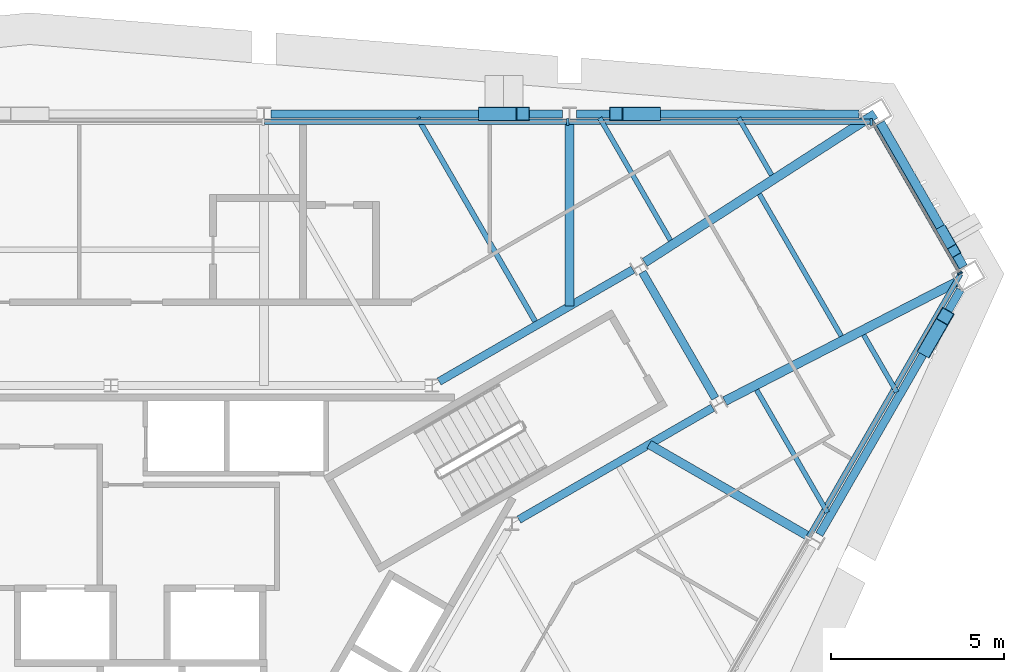
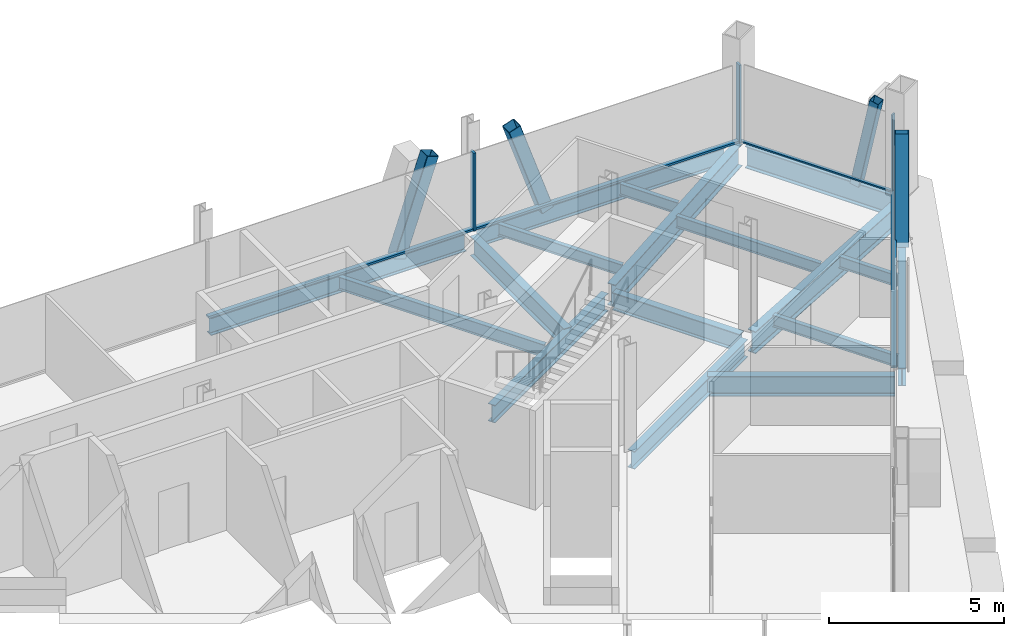
# One storey, part 7 of 14: 17 beams, 11 members, 3 elements without a shape of their own.
"""IFC4 building model written with IfcOpenShell, lengths in metres."""

from ifc_helpers import new_model, si_unit, direction, frame, origin, origin_2d, place, context, subcontext, project, spatial, rectangle, hollow_rectangle, i_section, extrude, material, material_profile, profile_set, type_object, element, aggregate, save


model = new_model("IFC4")

# Units and contexts
model_context = context("Model", 3, precision=1e-05, world=origin(), true_north=direction((0.0, 1.0)))
body_context = subcontext(model_context, "Body", "Model", "MODEL_VIEW")
ifc_project = project(units=[si_unit("LENGTHUNIT", "METRE"), si_unit("AREAUNIT", "SQUARE_METRE"), si_unit("VOLUMEUNIT", "CUBIC_METRE"), si_unit("PLANEANGLEUNIT", "RADIAN"), si_unit("MASSUNIT", "GRAM", prefix="KILO")], contexts=[model_context])

# Site, building, storey
site_placement = place(None, origin())
site = spatial("IfcSite", under=ifc_project, at=site_placement, CompositionType="ELEMENT")
building_placement = place(site_placement, origin())
building = spatial("IfcBuilding", under=site, at=building_placement, Name="Verrane Prism Tower", CompositionType="ELEMENT")
storey_placement = place(building_placement, frame((0.0, 0.0, 224.89990234375)))
storey = spatial("IfcBuildingStorey", under=building, at=storey_placement, Name="L56", CompositionType="ELEMENT", Elevation=224.89990234375)

# Member
ifc_material_1 = material(Name="Steel A500 Grade C", Category="steel")
ifc_material_profile_1 = material_profile(ifc_material_1, hollow_rectangle(XDim=0.3046875, YDim=0.3046875, WallThickness=0.0126953125, InnerFilletRadius=0.00634765625, OuterFilletRadius=0.01904296875, at=origin_2d()), Name="HSS12x12x1/2")
ifc_profile_set_1 = profile_set([ifc_material_profile_1], Name="Steel A500 Grade C")
member_type_1 = type_object("IfcMemberType", Name="Chamfer brace HSS12x12x1/2", PredefinedType="BRACE", material=ifc_profile_set_1)
member_1_placement = place(storey_placement, frame((23.982177734375, 12.44091796875, -0.242431640625), z_axis=(0.101664317764, -0.176489870854, 0.979038146335), x_axis=(0.866518541791, 0.499144885511, 0.0)))
element("IfcMember", 1, at=member_1_placement, inside=storey, type_object=member_type_1, Name="Chamfer brace NE0 L56", PredefinedType="BRACE", context=body_context, shape_type="SweptSolid", body=[
    extrude(hollow_rectangle(XDim=0.3046875, YDim=0.3046875, WallThickness=0.0126953125, InnerFilletRadius=0.00634765625, OuterFilletRadius=0.01904296875, at=origin_2d()), origin(), (0.0, 0.0, 1.0), 3.1748046875),
])

# Beams
ifc_material_2 = material(Name="Steel A992", Category="steel")
ifc_material_profile_2 = material_profile(ifc_material_2, i_section(OverallWidth=0.2666015625, OverallDepth=0.7568359375, WebThickness=0.013916015625, FlangeThickness=0.019287109375, FilletRadius=0.0166015625, at=origin_2d()), Name="W30x108")
ifc_profile_set_2 = profile_set([ifc_material_profile_2], Name="Steel A992")
beam_type_1 = type_object("IfcBeamType", Name="Chamfer spandrel beam W30x108", PredefinedType="SPANDREL", material=ifc_profile_set_2)
beam_1_placement = place(storey_placement, frame((24.5703125, 11.419921875, -0.538330078125), z_axis=(-0.499144251771, 0.866518906848, 0.0), x_axis=(-0.866518906848, -0.499144251771, 0.0)))
element("IfcBeam", 2, at=beam_1_placement, inside=storey, type_object=beam_type_1, Name="Chamfer spandrel beam L56", PredefinedType="SPANDREL", context=body_context, shape_type="SweptSolid", body=[
    extrude(i_section(OverallWidth=0.2666015625, OverallDepth=0.7568359375, WebThickness=0.013916015625, FlangeThickness=0.019287109375, FilletRadius=0.0166015625, at=origin_2d()), origin(), (0.0, 0.0, 1.0), 4.78955078125),
])
ifc_material_3 = material(Name="Steel A992", Category="steel")
ifc_material_profile_3 = material_profile(ifc_material_3, i_section(OverallWidth=0.23046875, OverallDepth=0.6171875, WebThickness=0.01318359375, FlangeThickness=0.022216796875, FilletRadius=0.012939453125, at=origin_2d()), Name="W24x94")
ifc_profile_set_3 = profile_set([ifc_material_profile_3], Name="Steel A992")
beam_type_2 = type_object("IfcBeamType", Name="Core ring girder W24x94", PredefinedType="BEAM", material=ifc_profile_set_3)
beam_2_placement = place(storey_placement, frame((11.759521484375, 4.135009765625, -0.55859375), z_axis=(0.866080992722, 0.499903704773, 0.0), x_axis=(-0.499903704773, 0.866080992722, 0.0)))
element("IfcBeam", 3, at=beam_2_placement, inside=storey, type_object=beam_type_2, Name="Core ring girder L56", PredefinedType="BEAM", context=body_context, shape_type="SweptSolid", body=[
    extrude(i_section(OverallWidth=0.23046875, OverallDepth=0.6171875, WebThickness=0.01318359375, FlangeThickness=0.022216796875, FilletRadius=0.012939453125, at=origin_2d()), origin(), (0.0, 0.0, 1.0), 6.451904296875),
])
beam_3_placement = place(storey_placement, frame((17.419677734375, 7.6337890625, -0.55859375), z_axis=(-0.500375511519, 0.865808493532, 0.0), x_axis=(-0.865808493532, -0.500375511519, 0.0)))
element("IfcBeam", 4, at=beam_3_placement, inside=storey, type_object=beam_type_2, Name="Core ring girder L56", PredefinedType="BEAM", context=body_context, shape_type="SweptSolid", body=[
    extrude(i_section(OverallWidth=0.23046875, OverallDepth=0.6171875, WebThickness=0.01318359375, FlangeThickness=0.022216796875, FilletRadius=0.012939453125, at=origin_2d()), origin(), (0.0, 0.0, 1.0), 4.195556640625),
])
beam_4_placement = place(storey_placement, frame((15.04736328125, 11.34033203125, -0.55859375), z_axis=(-0.866080992722, -0.499903704773, 0.0), x_axis=(0.499903704773, -0.866080992722, 0.0)))
element("IfcBeam", 5, at=beam_4_placement, inside=storey, type_object=beam_type_2, Name="Core ring girder L56", PredefinedType="BEAM", context=body_context, shape_type="SweptSolid", body=[
    extrude(i_section(OverallWidth=0.23046875, OverallDepth=0.6171875, WebThickness=0.01318359375, FlangeThickness=0.022216796875, FilletRadius=0.012939453125, at=origin_2d()), origin(), (0.0, 0.0, 1.0), 6.451904296875),
])
ifc_material_4 = material(Name="Steel A992", Category="steel")
ifc_material_profile_4 = material_profile(ifc_material_4, i_section(OverallWidth=0.2666015625, OverallDepth=0.76708984375, WebThickness=0.014892578125, FlangeThickness=0.023681640625, FilletRadius=0.0166015625, at=origin_2d()), Name="W30x124")
ifc_profile_set_4 = profile_set([ifc_material_profile_4], Name="Steel A992")
beam_type_3 = type_object("IfcBeamType", Name="Corner girder W30x124", PredefinedType="BEAM", material=ifc_profile_set_4)
beam_5_placement = place(storey_placement, frame((24.36376953125, 10.97705078125, -0.603515625), z_axis=(-0.889427813273, -0.457075666576, 0.0), x_axis=(0.457075666576, -0.889427813273, 0.0)))
element("IfcBeam", 6, at=beam_5_placement, inside=storey, type_object=beam_type_3, Name="Corner girder L56", PredefinedType="BEAM", context=body_context, shape_type="SweptSolid", body=[
    extrude(i_section(OverallWidth=0.2666015625, OverallDepth=0.76708984375, WebThickness=0.014892578125, FlangeThickness=0.023681640625, FilletRadius=0.0166015625, at=origin_2d()), origin(), (0.0, 0.0, 1.0), 7.4951171875),
])
beam_6_placement = place(storey_placement, frame((22.02880859375, 15.8291015625, -0.603515625), z_axis=(-0.840503183153, -0.541806606742, 0.0), x_axis=(0.541806606742, -0.840503183153, 0.0)))
element("IfcBeam", 7, at=beam_6_placement, inside=storey, type_object=beam_type_3, Name="Corner girder L56", PredefinedType="BEAM", context=body_context, shape_type="SweptSolid", body=[
    extrude(i_section(OverallWidth=0.2666015625, OverallDepth=0.76708984375, WebThickness=0.014892578125, FlangeThickness=0.023681640625, FilletRadius=0.0166015625, at=origin_2d()), origin(), (0.0, 0.0, 1.0), 7.9013671875),
])

# Members
ifc_material_5 = material(Name="Steel A500 Grade C", Category="steel")
ifc_material_profile_5 = material_profile(ifc_material_5, hollow_rectangle(XDim=0.406494140625, YDim=0.406494140625, WallThickness=0.01904296875, InnerFilletRadius=0.009521484375, OuterFilletRadius=0.028564453125, at=origin_2d()), Name="HSS16x16x3/4")
ifc_profile_set_5 = profile_set([ifc_material_profile_5], Name="Steel A500 Grade C")
member_type_2 = type_object("IfcMemberType", Name="Facade brace HSS16x16x3/4", PredefinedType="BRACE", material=ifc_profile_set_5)
for number, where, z_axis, x_axis, name in (
    (8, (15.651611328125, 15.830078125, -0.216552734375), (-0.322101086538, 0.0, 0.946705281516), (0.0, -1.0, 0.0), "Facade brace N0 L56"),
    (9, (10.78857421875, 15.830078125, -0.216552734375), (0.322036269863, 0.0, 0.946727331861), (0.0, 1.0, 0.0), "Facade brace N1 L56"),
):
    element("IfcMember", number, at=place(storey_placement, frame(where, z_axis=z_axis, x_axis=x_axis)), inside=storey, type_object=member_type_2, Name=name, PredefinedType="BRACE", context=body_context, shape_type="SweptSolid", body=[
        extrude(hollow_rectangle(XDim=0.406494140625, YDim=0.406494140625, WallThickness=0.01904296875, InnerFilletRadius=0.009521484375, OuterFilletRadius=0.028564453125, at=origin_2d()), origin(), (0.0, 0.0, 1.0), 3.3759765625),
    ])
member_2_placement = place(storey_placement, frame((23.505615234375, 9.05419921875, -0.216552734375), z_axis=(0.160840106814, 0.278938980208, 0.946743632332), x_axis=(-0.866301479864, 0.499521517039, 0.0)))
element("IfcMember", 10, at=member_2_placement, inside=storey, type_object=member_type_2, Name="Facade brace SE4 L56", PredefinedType="BRACE", context=body_context, shape_type="SweptSolid", body=[
    extrude(hollow_rectangle(XDim=0.406494140625, YDim=0.406494140625, WallThickness=0.01904296875, InnerFilletRadius=0.009521484375, OuterFilletRadius=0.028564453125, at=origin_2d()), origin(), (0.0, 0.0, 1.0), 3.375732421875),
])

# Beams
ifc_material_6 = material(Name="Steel A992", Category="steel")
ifc_material_profile_6 = material_profile(ifc_material_6, i_section(OverallWidth=0.140380859375, OverallDepth=0.40380859375, WebThickness=0.007080078125, FlangeThickness=0.01123046875, FilletRadius=0.01025390625, at=origin_2d()), Name="W16x31")
ifc_profile_set_6 = profile_set([ifc_material_profile_6], Name="Steel A992")
beam_type_4 = type_object("IfcBeamType", Name="Floor beam W16x31", PredefinedType="BEAM", material=ifc_profile_set_6)
beam_7_placement = place(storey_placement, frame((19.0458984375, 14.065185546875, -0.36181640625), z_axis=(-0.499929534118, 0.866066083458, 0.0), x_axis=(-0.866066083458, -0.499929534118, 0.0)))
element("IfcBeam", 11, at=beam_7_placement, inside=storey, type_object=beam_type_4, Name="Floor beam L56", PredefinedType="BEAM", context=body_context, shape_type="SweptSolid", body=[
    extrude(i_section(OverallWidth=0.140380859375, OverallDepth=0.40380859375, WebThickness=0.007080078125, FlangeThickness=0.01123046875, FilletRadius=0.01025390625, at=origin_2d()), origin(), (0.0, 0.0, 1.0), 1.905029296875),
])
beam_8_placement = place(storey_placement, frame((16.12890625, 12.184814453125, -0.36181640625), z_axis=(-0.499978218965, 0.866037978706, 0.0), x_axis=(-0.866037978706, -0.499978218965, 0.0)))
element("IfcBeam", 12, at=beam_8_placement, inside=storey, type_object=beam_type_4, Name="Floor beam L56", PredefinedType="BEAM", context=body_context, shape_type="SweptSolid", body=[
    extrude(i_section(OverallWidth=0.140380859375, OverallDepth=0.40380859375, WebThickness=0.007080078125, FlangeThickness=0.01123046875, FilletRadius=0.01025390625, at=origin_2d()), origin(), (0.0, 0.0, 1.0), 4.076416015625),
])
beam_9_placement = place(storey_placement, frame((22.65380859375, 7.80712890625, -0.36181640625), z_axis=(-0.500036506332, 0.866004325818, 0.0), x_axis=(-0.866004325818, -0.500036506332, 0.0)))
element("IfcBeam", 13, at=beam_9_placement, inside=storey, type_object=beam_type_4, Name="Floor beam L56", PredefinedType="BEAM", context=body_context, shape_type="SweptSolid", body=[
    extrude(i_section(OverallWidth=0.140380859375, OverallDepth=0.40380859375, WebThickness=0.007080078125, FlangeThickness=0.01123046875, FilletRadius=0.01025390625, at=origin_2d()), origin(), (0.0, 0.0, 1.0), 1.906494140625),
])
beam_10_placement = place(storey_placement, frame((20.654052734375, 4.33935546875, -0.36181640625), z_axis=(-0.500007372378, 0.866021147298, 0.0), x_axis=(-0.866021147298, -0.500007372378, 0.0)))
element("IfcBeam", 14, at=beam_10_placement, inside=storey, type_object=beam_type_4, Name="Floor beam L56", PredefinedType="BEAM", context=body_context, shape_type="SweptSolid", body=[
    extrude(i_section(OverallWidth=0.140380859375, OverallDepth=0.40380859375, WebThickness=0.007080078125, FlangeThickness=0.01123046875, FilletRadius=0.01025390625, at=origin_2d()), origin(), (0.0, 0.0, 1.0), 4.07958984375),
])
beam_11_placement = place(storey_placement, frame((21.0546875, 9.426513671875, -0.36181640625), z_axis=(-0.499972881236, 0.866041060244, 0.0), x_axis=(-0.866041060244, -0.499972881236, 0.0)))
element("IfcBeam", 15, at=beam_11_placement, inside=storey, type_object=beam_type_4, Name="Floor beam L56", PredefinedType="BEAM", context=body_context, shape_type="SweptSolid", body=[
    extrude(i_section(OverallWidth=0.140380859375, OverallDepth=0.40380859375, WebThickness=0.007080078125, FlangeThickness=0.01123046875, FilletRadius=0.01025390625, at=origin_2d()), origin(), (0.0, 0.0, 1.0), 4.725830078125),
])
ifc_material_7 = material(Name="Steel A992", Category="steel")
ifc_material_profile_7 = material_profile(ifc_material_7, i_section(OverallWidth=0.15234375, OverallDepth=0.449462890625, WebThickness=0.007568359375, FlangeThickness=0.0107421875, FilletRadius=0.01025390625, at=origin_2d()), Name="W18x35")
ifc_profile_set_7 = profile_set([ifc_material_profile_7], Name="Steel A992")
beam_type_5 = type_object("IfcBeamType", Name="Floor beam W18x35", PredefinedType="BEAM", material=ifc_profile_set_7)
beam_12_placement = place(storey_placement, frame((12.22900390625, 9.849853515625, -0.384765625), z_axis=(-0.499992893009, 0.866029506969, 0.0), x_axis=(-0.866029506969, -0.499992893009, 0.0)))
element("IfcBeam", 16, at=beam_12_placement, inside=storey, type_object=beam_type_5, Name="Floor beam L56", PredefinedType="BEAM", context=body_context, shape_type="SweptSolid", body=[
    extrude(i_section(OverallWidth=0.15234375, OverallDepth=0.449462890625, WebThickness=0.007568359375, FlangeThickness=0.0107421875, FilletRadius=0.01025390625, at=origin_2d()), origin(), (0.0, 0.0, 1.0), 6.7724609375),
])

# Curtain wall, member
ifc_material_8 = material(Name="Aluminium framed insulated glazing", Category="aluminium")
curtain_wall_type_1 = type_object("IfcCurtainWallType", Name="Curtain wall CW-C 4200 module", PredefinedType="NOTDEFINED", material=ifc_material_8)
curtain_wall_1_placement = place(storey_placement, origin())
curtain_wall_1 = element("IfcCurtainWall", 17, at=curtain_wall_1_placement, inside=storey, type_object=curtain_wall_type_1, Name="Glazed curtain wall north-east corner L56", PredefinedType="NOTDEFINED")
ifc_material_9 = material(Name="Aluminium alloy 6063-T6", Category="aluminium")
ifc_material_profile_8 = material_profile(ifc_material_9, rectangle(XDim=0.139892578125, YDim=0.050048828125, at=origin_2d()), Name="Mullion 50x140 aluminium")
ifc_profile_set_8 = profile_set([ifc_material_profile_8], Name="Aluminium alloy 6063-T6")
member_type_3 = type_object("IfcMemberType", Name="Mullion 50x140 aluminium", PredefinedType="MULLION", material=ifc_profile_set_8)
member_3_placement = place(storey_placement, frame((24.476806640625, 11.234619140625, 0.0), z_axis=(0.0, 0.0, 1.0), x_axis=(-0.866028188915, -0.499995175981, 0.0)))
member_3 = element("IfcMember", 18, at=member_3_placement, type_object=member_type_3, Name="CW54.1 mullion 1", PredefinedType="MULLION", context=body_context, shape_type="SweptSolid", body=[
    extrude(rectangle(XDim=0.139892578125, YDim=0.050048828125, at=origin_2d()), origin(), (0.0, 0.0, 1.0), 2.712890625),
])

# Curtain wall, members
ifc_material_10 = material(Name="Aluminium framed insulated glazing", Category="aluminium")
curtain_wall_type_2 = type_object("IfcCurtainWallType", Name="Curtain wall CW-A 8400 module", PredefinedType="NOTDEFINED", material=ifc_material_10)
curtain_wall_2_placement = place(storey_placement, origin())
curtain_wall_2 = element("IfcCurtainWall", 19, at=curtain_wall_2_placement, inside=storey, type_object=curtain_wall_type_2, Name="Glazed curtain wall north face L56", PredefinedType="NOTDEFINED")
ifc_material_11 = material(Name="Aluminium alloy 6063-T6", Category="aluminium")
ifc_material_profile_9 = material_profile(ifc_material_11, rectangle(XDim=0.199951171875, YDim=0.070068359375, at=origin_2d()), Name="Mullion 70x200 aluminium")
ifc_profile_set_9 = profile_set([ifc_material_profile_9], Name="Aluminium alloy 6063-T6")
member_type_4 = type_object("IfcMemberType", Name="Mullion 70x200 aluminium", PredefinedType="MULLION", material=ifc_profile_set_9)
member_4_placement = place(storey_placement, frame((21.92041015625, 15.601806640625, 0.0), z_axis=(0.0, 0.0, 1.0), x_axis=(0.0, -1.0, 0.0)))
member_4 = element("IfcMember", 20, at=member_4_placement, type_object=member_type_4, Name="CW54.2 mullion 1", PredefinedType="MULLION", context=body_context, shape_type="SweptSolid", body=[
    extrude(rectangle(XDim=0.199951171875, YDim=0.070068359375, at=origin_2d()), origin(), (0.0, 0.0, 1.0), 2.712890625),
])
member_5_placement = place(storey_placement, frame((13.173095703125, 15.601806640625, 0.0), z_axis=(0.0, 0.0, 1.0), x_axis=(0.0, -1.0, 0.0)))
member_5 = element("IfcMember", 21, at=member_5_placement, type_object=member_type_4, Name="CW54.2 mullion 2", PredefinedType="MULLION", context=body_context, shape_type="SweptSolid", body=[
    extrude(rectangle(XDim=0.199951171875, YDim=0.070068359375, at=origin_2d()), origin(), (0.0, 0.0, 1.0), 2.712890625),
])

# Beams
ifc_material_12 = material(Name="Steel A992", Category="steel")
ifc_material_profile_10 = material_profile(ifc_material_12, i_section(OverallWidth=0.25390625, OverallDepth=0.683349609375, WebThickness=0.012451171875, FlangeThickness=0.01904296875, FilletRadius=0.01513671875, at=origin_2d()), Name="W27x94")
ifc_profile_set_10 = profile_set([ifc_material_profile_10], Name="Steel A992")
beam_type_6 = type_object("IfcBeamType", Name="Radial girder W27x94", PredefinedType="BEAM", material=ifc_profile_set_10)
beam_13_placement = place(storey_placement, frame((13.219970703125, 15.630615234375, -0.5615234375), z_axis=(0.0, -1.0, 0.0), x_axis=(1.0, 0.0, 0.0)))
element("IfcBeam", 22, at=beam_13_placement, inside=storey, type_object=beam_type_6, Name="Radial girder L56", PredefinedType="BEAM", context=body_context, shape_type="SweptSolid", body=[
    extrude(i_section(OverallWidth=0.25390625, OverallDepth=0.683349609375, WebThickness=0.012451171875, FlangeThickness=0.01904296875, FilletRadius=0.01513671875, at=origin_2d()), origin(), (0.0, 0.0, 1.0), 5.344970703125),
])
beam_14_placement = place(storey_placement, frame((20.147216796875, 3.629638671875, -0.5615234375), z_axis=(-0.866020604947, 0.500008311739, 0.0), x_axis=(-0.500008311739, -0.866020604947, 0.0)))
element("IfcBeam", 23, at=beam_14_placement, inside=storey, type_object=beam_type_6, Name="Radial girder L56", PredefinedType="BEAM", context=body_context, shape_type="SweptSolid", body=[
    extrude(i_section(OverallWidth=0.25390625, OverallDepth=0.683349609375, WebThickness=0.012451171875, FlangeThickness=0.01904296875, FilletRadius=0.01513671875, at=origin_2d()), origin(), (0.0, 0.0, 1.0), 5.34765625),
])
ifc_material_13 = material(Name="Steel A992", Category="steel")
ifc_material_profile_11 = material_profile(ifc_material_13, i_section(OverallWidth=0.23046875, OverallDepth=0.6171875, WebThickness=0.01318359375, FlangeThickness=0.022216796875, FilletRadius=0.012939453125, at=origin_2d()), Name="W24x94")
ifc_profile_set_11 = profile_set([ifc_material_profile_11], Name="Steel A992")
beam_type_7 = type_object("IfcBeamType", Name="Spandrel beam W24x94", PredefinedType="SPANDREL", material=ifc_profile_set_11)
beam_15_placement = place(storey_placement, frame((21.568115234375, 15.830078125, -0.468505859375), z_axis=(-1.0, 0.0, 0.0), x_axis=(0.0, -1.0, 0.0)))
element("IfcBeam", 24, at=beam_15_placement, inside=storey, type_object=beam_type_7, Name="Spandrel beam L56", PredefinedType="SPANDREL", context=body_context, shape_type="SweptSolid", body=[
    extrude(i_section(OverallWidth=0.23046875, OverallDepth=0.6171875, WebThickness=0.01318359375, FlangeThickness=0.022216796875, FilletRadius=0.012939453125, at=origin_2d()), origin(), (0.0, 0.0, 1.0), 8.1474609375),
])
beam_16_placement = place(storey_placement, frame((13.019287109375, 15.830078125, -0.468505859375), z_axis=(-1.0, 0.0, 0.0), x_axis=(0.0, -1.0, 0.0)))
element("IfcBeam", 25, at=beam_16_placement, inside=storey, type_object=beam_type_7, Name="Spandrel beam L56", PredefinedType="SPANDREL", context=body_context, shape_type="SweptSolid", body=[
    extrude(i_section(OverallWidth=0.23046875, OverallDepth=0.6171875, WebThickness=0.01318359375, FlangeThickness=0.022216796875, FilletRadius=0.012939453125, at=origin_2d()), origin(), (0.0, 0.0, 1.0), 8.40869140625),
])
beam_17_placement = place(storey_placement, frame((20.420166015625, 3.703857421875, -0.468505859375), z_axis=(0.499572810058, 0.866271901571, 0.0), x_axis=(-0.866271901571, 0.499572810058, 0.0)))
element("IfcBeam", 26, at=beam_17_placement, inside=storey, type_object=beam_type_7, Name="Spandrel beam L56", PredefinedType="SPANDREL", context=body_context, shape_type="SweptSolid", body=[
    extrude(i_section(OverallWidth=0.23046875, OverallDepth=0.6171875, WebThickness=0.01318359375, FlangeThickness=0.022216796875, FilletRadius=0.012939453125, at=origin_2d()), origin(), (0.0, 0.0, 1.0), 8.145263671875),
])

# Member
ifc_material_14 = material(Name="Aluminium alloy 6063-T6", Category="aluminium")
ifc_material_profile_12 = material_profile(ifc_material_14, rectangle(XDim=0.10009765625, YDim=0.050048828125, at=origin_2d()), Name="Transom 50x100 aluminium")
ifc_profile_set_12 = profile_set([ifc_material_profile_12], Name="Aluminium alloy 6063-T6")
member_type_5 = type_object("IfcMemberType", Name="Transom 50x100 aluminium", PredefinedType="USERDEFINED", material=ifc_profile_set_12)
member_6_placement = place(storey_placement, frame((24.464111328125, 11.256103515625, 0.025146484375), z_axis=(-0.499969537666, 0.866042990507, 0.0), x_axis=(-0.866042990507, -0.499969537666, 0.0)))
member_6 = element("IfcMember", 27, at=member_6_placement, type_object=member_type_5, Name="CW54.1 transom 1", ObjectType="TRANSOM", PredefinedType="USERDEFINED", context=body_context, shape_type="SweptSolid", body=[
    extrude(rectangle(XDim=0.10009765625, YDim=0.050048828125, at=origin_2d()), origin(), (0.0, 0.0, 1.0), 5.017822265625),
])

aggregate(curtain_wall_1, [member_3, member_6])

ifc_material_15 = material(Name="Aluminium alloy 6063-T6", Category="aluminium")
ifc_material_profile_13 = material_profile(ifc_material_15, rectangle(XDim=0.14990234375, YDim=0.070068359375, at=origin_2d()), Name="Transom 70x150 aluminium")
ifc_profile_set_13 = profile_set([ifc_material_profile_13], Name="Aluminium alloy 6063-T6")
member_type_6 = type_object("IfcMemberType", Name="Transom 70x150 aluminium", PredefinedType="USERDEFINED", material=ifc_profile_set_13)
member_7_placement = place(storey_placement, frame((21.88525390625, 15.601806640625, 0.03515625), z_axis=(-1.0, 0.0, 0.0), x_axis=(0.0, -1.0, 0.0)))
member_7 = element("IfcMember", 28, at=member_7_placement, type_object=member_type_6, Name="CW54.2 transom 1", ObjectType="TRANSOM", PredefinedType="USERDEFINED", context=body_context, shape_type="SweptSolid", body=[
    extrude(rectangle(XDim=0.14990234375, YDim=0.070068359375, at=origin_2d()), origin(), (0.0, 0.0, 1.0), 8.677001953125),
])

member_8_placement = place(storey_placement, frame((13.13818359375, 15.601806640625, 0.03515625), z_axis=(-1.0, 0.0, 0.0), x_axis=(0.0, -1.0, 0.0)))
member_8 = element("IfcMember", 29, at=member_8_placement, type_object=member_type_6, Name="CW54.2 transom 2", ObjectType="TRANSOM", PredefinedType="USERDEFINED", context=body_context, shape_type="SweptSolid", body=[
    extrude(rectangle(XDim=0.14990234375, YDim=0.070068359375, at=origin_2d()), origin(), (0.0, 0.0, 1.0), 8.712158203125),
])

aggregate(curtain_wall_2, [member_4, member_5, member_7, member_8])

# Curtain wall, member
curtain_wall_3_placement = place(storey_placement, origin())
curtain_wall_3 = element("IfcCurtainWall", 30, at=curtain_wall_3_placement, inside=storey, type_object=curtain_wall_type_2, Name="Glazed curtain wall south-east face L56", PredefinedType="NOTDEFINED")
member_9_placement = place(storey_placement, frame((20.11572265625, 3.6376953125, 0.03515625), z_axis=(0.499999494409, 0.866025695687, 0.0), x_axis=(-0.866025695687, 0.499999494409, 0.0)))
member_9 = element("IfcMember", 31, at=member_9_placement, type_object=member_type_6, Name="CW54.6 transom 5", ObjectType="TRANSOM", PredefinedType="USERDEFINED", context=body_context, shape_type="SweptSolid", body=[
    extrude(rectangle(XDim=0.14990234375, YDim=0.070068359375, at=origin_2d()), origin(), (0.0, 0.0, 1.0), 8.7470703125),
])
aggregate(curtain_wall_3, [member_9])

save(model, "model.ifc")
